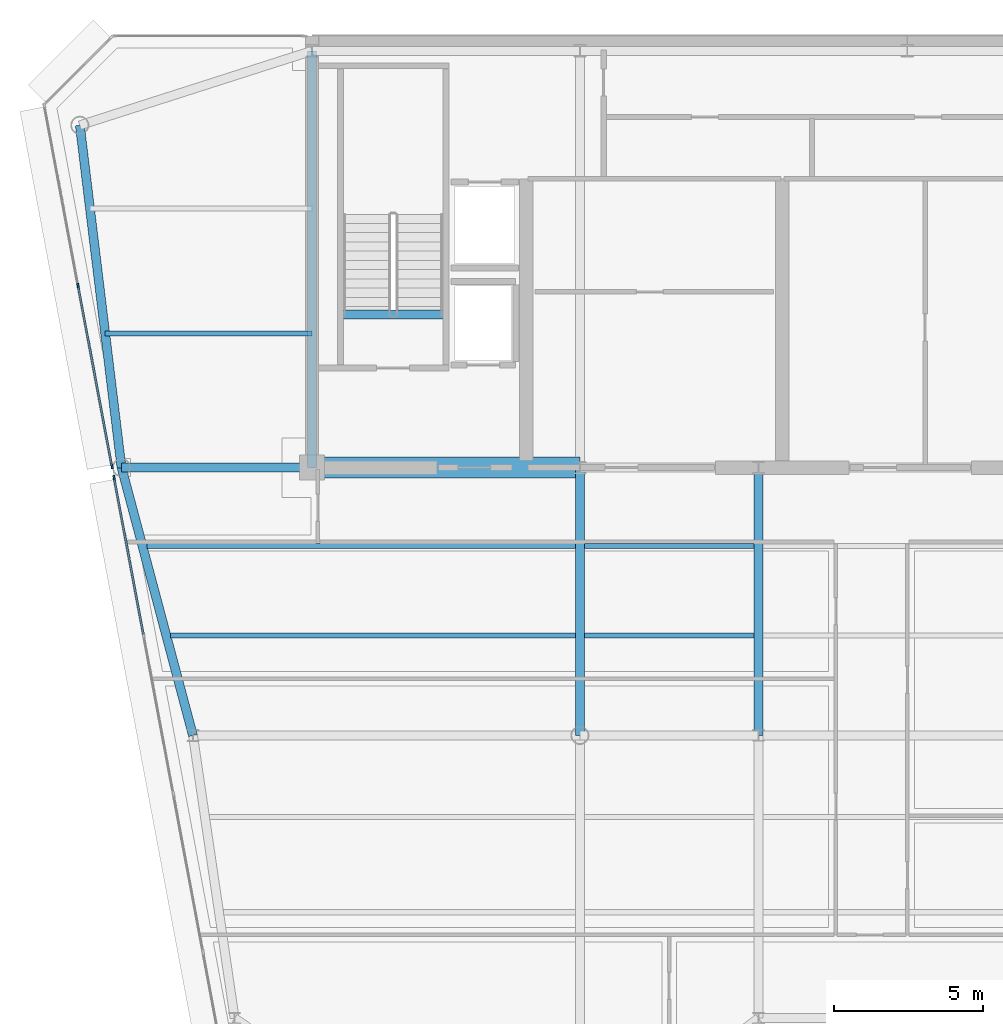
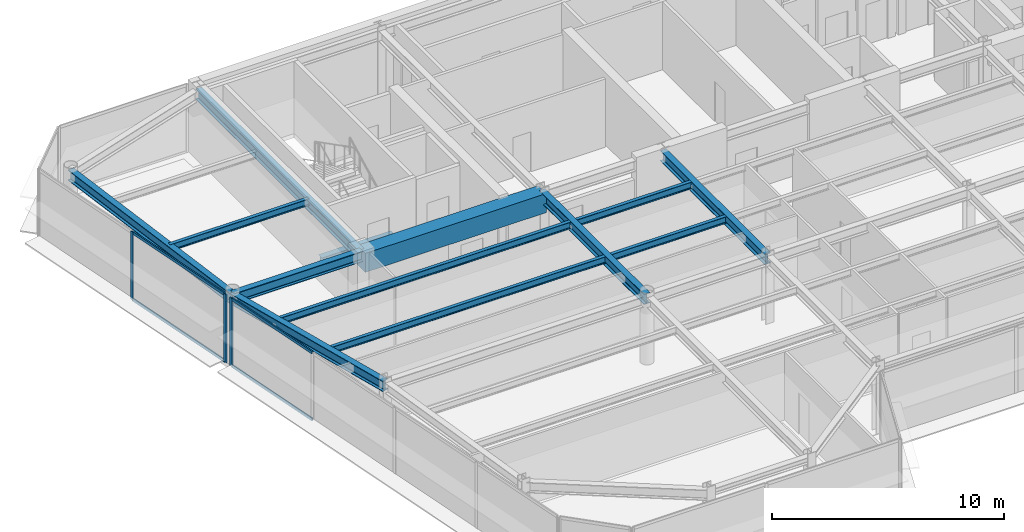
# One storey, part 4 of 19: 13 beams, 7 members, 2 elements without a shape of their own.
"""IFC4 building model written with IfcOpenShell, lengths in metres."""

from ifc_helpers import new_model, si_unit, direction, frame, origin, origin_2d, place, context, subcontext, project, spatial, rectangle, i_section, extrude, source, transform, mapped, material, layer, layer_set, material_profile, profile_set, type_object, element, aggregate, save


model = new_model("IFC4")

# Units and contexts
model_context = context("Model", 3, precision=1e-05, world=origin(), true_north=direction((0.0, 1.0)))
body_context = subcontext(model_context, "Body", "Model", "MODEL_VIEW")
ifc_project = project(units=[si_unit("LENGTHUNIT", "METRE"), si_unit("AREAUNIT", "SQUARE_METRE"), si_unit("VOLUMEUNIT", "CUBIC_METRE"), si_unit("PLANEANGLEUNIT", "RADIAN"), si_unit("MASSUNIT", "GRAM", prefix="KILO")], contexts=[model_context])

# Site, building, storey
site_placement = place(None, origin())
site = spatial("IfcSite", under=ifc_project, at=site_placement, CompositionType="ELEMENT")
building_placement = place(site_placement, origin())
building = spatial("IfcBuilding", under=site, at=building_placement, Name="Vaeldorn Concourse Tower", CompositionType="ELEMENT")
storey_placement = place(building_placement, frame((0.0, 0.0, 276.39990234375)))
storey = spatial("IfcBuildingStorey", under=building, at=storey_placement, Name="L71", CompositionType="ELEMENT", Elevation=276.39990234375)

# Beams
ifc_material_1 = material(Name="Concrete C50/60", Category="concrete")
ifc_material_profile_1 = material_profile(ifc_material_1, rectangle(XDim=0.699951171875, YDim=1.0, at=origin_2d()), Name="RC 700x1000")
ifc_profile_set_1 = profile_set([ifc_material_profile_1], Name="Concrete C50/60")
beam_type_1 = type_object("IfcBeamType", Name="BM-CB-RC700", PredefinedType="BEAM", material=ifc_profile_set_1)
shared_shape_1 = source(origin(), body_context, "Body", "SweptSolid", [
    extrude(rectangle(XDim=0.699951171875, YDim=1.0, at=origin_2d()), origin(), (0.0, 0.0, 1.0), 9.0),
])
beam_1_placement = place(storey_placement, frame((14.0, 36.5, 3.080078125), z_axis=(1.0, 0.0, 0.0), x_axis=(0.0, 1.0, 0.0)))
element("IfcBeam", 1, at=beam_1_placement, inside=storey, type_object=beam_type_1, Name="Core Coupling Beam L71-1", PredefinedType="BEAM", context=body_context, shape_type="MappedRepresentation", body=[
    mapped(shared_shape_1, transform((0.0, 0.0, 0.0), scale=1.0)),
])
ifc_material_2 = material(Name="Steel S355", Category="steel")
ifc_material_profile_2 = material_profile(ifc_material_2, i_section(OverallWidth=0.300048828125, OverallDepth=0.340087890625, WebThickness=0.011962890625, FlangeThickness=0.021484375, FilletRadius=0.027099609375, at=origin_2d()), Name="HEB 340")
ifc_profile_set_2 = profile_set([ifc_material_profile_2], Name="Steel S355")
beam_type_2 = type_object("IfcBeamType", Name="BM-ST-TRIM", PredefinedType="BEAM", material=ifc_profile_set_2)
shared_shape_2 = source(origin(), body_context, "Body", "SweptSolid", [
    extrude(i_section(OverallWidth=0.300048828125, OverallDepth=0.340087890625, WebThickness=0.011962890625, FlangeThickness=0.021484375, FilletRadius=0.027099609375, at=origin_2d()), origin(), (0.0, 0.0, 1.0), 3.590087890625),
])
beam_2_placement = place(storey_placement, frame((14.929931640625, 41.639892578125, -0.389892578125), z_axis=(1.0, 0.0, 0.0), x_axis=(0.0, 1.0, 0.0)))
element("IfcBeam", 2, at=beam_2_placement, inside=storey, type_object=beam_type_2, Name="Stair Landing Trimmer Beam ST-1 L71", PredefinedType="BEAM", context=body_context, shape_type="MappedRepresentation", body=[
    mapped(shared_shape_2, transform((0.0, 0.0, 0.0), scale=1.0)),
])
ifc_material_profile_3 = material_profile(ifc_material_2, i_section(OverallWidth=0.300048828125, OverallDepth=0.550048828125, WebThickness=0.014892578125, FlangeThickness=0.029052734375, FilletRadius=0.027099609375, at=origin_2d()), Name="HEB 550")
ifc_profile_set_3 = profile_set([ifc_material_profile_3], Name="Steel S355")
beam_type_3 = type_object("IfcBeamType", Name="BM-PG-HEB550", PredefinedType="BEAM", material=ifc_profile_set_3)
shared_shape_3 = source(origin(), body_context, "Body", "SweptSolid", [
    extrude(i_section(OverallWidth=0.300048828125, OverallDepth=0.550048828125, WebThickness=0.014892578125, FlangeThickness=0.029052734375, FilletRadius=0.027099609375, at=origin_2d()), origin(), (0.0, 0.0, 1.0), 9.0),
])
for number, where, z_axis, x_axis, name in (
    (3, (23.0, 27.5, 3.30517578125), (0.0, 1.0, 0.0), (-1.0, 0.0, 0.0), "Beam BM-L71-C-TW1-C-FC2"),
    (4, (29.0, 27.5, 3.30517578125), (0.0, 1.0, 0.0), (-1.0, 0.0, 0.0), "Beam BM-L71-C-TW2-C-FC3"),
):
    element("IfcBeam", number, at=place(storey_placement, frame(where, z_axis=z_axis, x_axis=x_axis)), inside=storey, type_object=beam_type_3, Name=name, PredefinedType="BEAM", context=body_context, shape_type="MappedRepresentation", body=[
        mapped(shared_shape_3, transform((0.0, 0.0, 0.0), scale=1.0)),
    ])
shared_shape_4 = source(origin(), body_context, "Body", "SweptSolid", [
    extrude(i_section(OverallWidth=0.300048828125, OverallDepth=0.550048828125, WebThickness=0.014892578125, FlangeThickness=0.029052734375, FilletRadius=0.027099609375, at=origin_2d()), origin(), (0.0, 0.0, 1.0), 14.0),
])
beam_3_placement = place(storey_placement, frame((14.0, 36.5, 3.30517578125), z_axis=(0.0, 1.0, 0.0), x_axis=(-1.0, 0.0, 0.0)))
element("IfcBeam", 5, at=beam_3_placement, inside=storey, type_object=beam_type_3, Name="Beam BM-L71-C-FC1-C-HC1", PredefinedType="BEAM", context=body_context, shape_type="MappedRepresentation", body=[
    mapped(shared_shape_4, transform((0.0, 0.0, 0.0), scale=1.0)),
])
shared_shape_5 = source(origin(), body_context, "Body", "SweptSolid", [
    extrude(i_section(OverallWidth=0.300048828125, OverallDepth=0.550048828125, WebThickness=0.014892578125, FlangeThickness=0.029052734375, FilletRadius=0.027099609375, at=origin_2d()), origin(), (0.0, 0.0, 1.0), 11.5849609375),
])
beam_4_placement = place(storey_placement, frame((6.199951171875, 48.0, 3.30517578125), z_axis=(0.120859382899, -0.992669637677, 0.0), x_axis=(0.992669637677, 0.120859382899, 0.0)))
element("IfcBeam", 6, at=beam_4_placement, inside=storey, type_object=beam_type_3, Name="Beam BM-L71-C-NW1-C-NW2", PredefinedType="BEAM", context=body_context, shape_type="MappedRepresentation", body=[
    mapped(shared_shape_5, transform((0.0, 0.0, 0.0), scale=1.0)),
])
shared_shape_6 = source(origin(), body_context, "Body", "SweptSolid", [
    extrude(i_section(OverallWidth=0.300048828125, OverallDepth=0.550048828125, WebThickness=0.014892578125, FlangeThickness=0.029052734375, FilletRadius=0.027099609375, at=origin_2d()), origin(), (0.0, 0.0, 1.0), 6.39990234375),
])
beam_5_placement = place(storey_placement, frame((7.60009765625, 36.5, 3.30517578125), z_axis=(1.0, 0.0, 0.0), x_axis=(0.0, 1.0, 0.0)))
element("IfcBeam", 7, at=beam_5_placement, inside=storey, type_object=beam_type_3, Name="Beam BM-L71-C-NW2-C-FC1", PredefinedType="BEAM", context=body_context, shape_type="MappedRepresentation", body=[
    mapped(shared_shape_6, transform((0.0, 0.0, 0.0), scale=1.0)),
])
shared_shape_7 = source(origin(), body_context, "Body", "SweptSolid", [
    extrude(i_section(OverallWidth=0.300048828125, OverallDepth=0.550048828125, WebThickness=0.014892578125, FlangeThickness=0.029052734375, FilletRadius=0.027099609375, at=origin_2d()), origin(), (0.0, 0.0, 1.0), 9.314453125),
])
beam_6_placement = place(storey_placement, frame((7.60009765625, 36.5, 3.30517578125), z_axis=(0.257652862255, -0.966237549763, 0.0), x_axis=(0.966237549763, 0.257652862255, 0.0)))
element("IfcBeam", 8, at=beam_6_placement, inside=storey, type_object=beam_type_3, Name="Beam BM-L71-C-NW2-C-FLW1", PredefinedType="BEAM", context=body_context, shape_type="MappedRepresentation", body=[
    mapped(shared_shape_7, transform((0.0, 0.0, 0.0), scale=1.0)),
])
ifc_material_profile_4 = material_profile(ifc_material_2, i_section(OverallWidth=0.169921875, OverallDepth=0.360107421875, WebThickness=0.008056640625, FlangeThickness=0.0126953125, FilletRadius=0.01806640625, at=origin_2d()), Name="IPE 360")
ifc_profile_set_4 = profile_set([ifc_material_profile_4], Name="Steel S355")
beam_type_4 = type_object("IfcBeamType", Name="BM-JS-IPE360", PredefinedType="JOIST", material=ifc_profile_set_4)
shared_shape_8 = source(origin(), body_context, "Body", "SweptSolid", [
    extrude(i_section(OverallWidth=0.169921875, OverallDepth=0.360107421875, WebThickness=0.008056640625, FlangeThickness=0.0126953125, FilletRadius=0.01806640625, at=origin_2d()), origin(), (0.0, 0.0, 1.0), 6.94775390625),
])
beam_7_placement = place(storey_placement, frame((7.05224609375, 41.0, 3.400146484375), z_axis=(1.0, 0.0, 0.0), x_axis=(0.0, 1.0, 0.0)))
element("IfcBeam", 9, at=beam_7_placement, inside=storey, type_object=beam_type_4, Name="Beam JS-L71-NW-410", PredefinedType="JOIST", context=body_context, shape_type="MappedRepresentation", body=[
    mapped(shared_shape_8, transform((0.0, 0.0, 0.0), scale=1.0)),
])
shared_shape_9 = source(origin(), body_context, "Body", "SweptSolid", [
    extrude(i_section(OverallWidth=0.169921875, OverallDepth=0.360107421875, WebThickness=0.008056640625, FlangeThickness=0.0126953125, FilletRadius=0.01806640625, at=origin_2d()), origin(), (0.0, 0.0, 1.0), 5.7001953125),
])
for number, where, z_axis, x_axis, name in (
    (10, (23.14990234375, 30.860107421875, 3.400146484375), (1.0, 0.0, 0.0), (0.0, 1.0, 0.0), "Beam JS-L71-W2-308"),
    (11, (23.14990234375, 33.860107421875, 3.400146484375), (1.0, 0.0, 0.0), (0.0, 1.0, 0.0), "Beam JS-L71-W2-338"),
):
    element("IfcBeam", number, at=place(storey_placement, frame(where, z_axis=z_axis, x_axis=x_axis)), inside=storey, type_object=beam_type_4, Name=name, PredefinedType="JOIST", context=body_context, shape_type="MappedRepresentation", body=[
        mapped(shared_shape_9, transform((0.0, 0.0, 0.0), scale=1.0)),
    ])
shared_shape_10 = source(origin(), body_context, "Body", "SweptSolid", [
    extrude(i_section(OverallWidth=0.169921875, OverallDepth=0.360107421875, WebThickness=0.008056640625, FlangeThickness=0.0126953125, FilletRadius=0.01806640625, at=origin_2d()), origin(), (0.0, 0.0, 1.0), 13.59619140625),
])
beam_8_placement = place(storey_placement, frame((9.25390625, 30.860107421875, 3.400146484375), z_axis=(1.0, 0.0, 0.0), x_axis=(0.0, 1.0, 0.0)))
element("IfcBeam", 12, at=beam_8_placement, inside=storey, type_object=beam_type_4, Name="Beam JS-L71-W1-308", PredefinedType="JOIST", context=body_context, shape_type="MappedRepresentation", body=[
    mapped(shared_shape_10, transform((0.0, 0.0, 0.0), scale=1.0)),
])
shared_shape_11 = source(origin(), body_context, "Body", "SweptSolid", [
    extrude(i_section(OverallWidth=0.169921875, OverallDepth=0.360107421875, WebThickness=0.008056640625, FlangeThickness=0.0126953125, FilletRadius=0.01806640625, at=origin_2d()), origin(), (0.0, 0.0, 1.0), 14.39599609375),
])
beam_9_placement = place(storey_placement, frame((8.4541015625, 33.860107421875, 3.400146484375), z_axis=(1.0, 0.0, 0.0), x_axis=(0.0, 1.0, 0.0)))
element("IfcBeam", 13, at=beam_9_placement, inside=storey, type_object=beam_type_4, Name="Beam JS-L71-W1-338", PredefinedType="JOIST", context=body_context, shape_type="MappedRepresentation", body=[
    mapped(shared_shape_11, transform((0.0, 0.0, 0.0), scale=1.0)),
])

# Curtain wall, members
ifc_material_3 = material(Name="Anodised Bronze Aluminium", Category="aluminium")
ifc_layer = layer(ifc_material_3, 0.179931640625)
ifc_layer_set = layer_set([ifc_layer], Name="Anodised Bronze Aluminium")
curtain_wall_type = type_object("IfcCurtainWallType", Name="CW-SYS-05", PredefinedType="NOTDEFINED", material=ifc_layer_set)
curtain_wall_1_placement = place(storey_placement, origin())
curtain_wall_1 = element("IfcCurtainWall", 14, at=curtain_wall_1_placement, inside=storey, type_object=curtain_wall_type, Name="Unitised Curtain Wall CW-L71-E11-1", PredefinedType="NOTDEFINED")
ifc_material_profile_5 = material_profile(ifc_material_3, rectangle(XDim=0.06494140625, YDim=0.169921875, at=origin_2d()), Name="CWM 65x170")
ifc_profile_set_5 = profile_set([ifc_material_profile_5], Name="Anodised Bronze Aluminium")
member_type_1 = type_object("IfcMemberType", Name="CWM-BRONZE-170", PredefinedType="MULLION", material=ifc_profile_set_5)
shared_shape_12 = source(origin(), body_context, "Body", "SweptSolid", [
    extrude(rectangle(XDim=0.06494140625, YDim=0.169921875, at=origin_2d()), origin(), (0.0, 0.0, 1.0), 3.580078125),
])
member_1_placement = place(storey_placement, frame((6.142578125, 42.605224609375, 0.0), z_axis=(0.0, 0.0, 1.0), x_axis=(0.982880218842, 0.184245693053, 0.0)))
member_1 = element("IfcMember", 15, at=member_1_placement, type_object=member_type_1, Name="CW-05 mullion 2", PredefinedType="MULLION", context=body_context, shape_type="MappedRepresentation", body=[
    mapped(shared_shape_12, transform((0.0, 0.0, 0.0), scale=1.0)),
])
member_2_placement = place(storey_placement, frame((7.279052734375, 36.542236328125, 0.0), z_axis=(0.0, 0.0, 1.0), x_axis=(0.982880218842, 0.184245693053, 0.0)))
member_2 = element("IfcMember", 16, at=member_2_placement, type_object=member_type_1, Name="CW-05 mullion 3", PredefinedType="MULLION", context=body_context, shape_type="MappedRepresentation", body=[
    mapped(shared_shape_12, transform((0.0, 0.0, 0.0), scale=1.0)),
])

curtain_wall_2_placement = place(storey_placement, origin())
curtain_wall_2 = element("IfcCurtainWall", 17, at=curtain_wall_2_placement, inside=storey, type_object=curtain_wall_type, Name="Unitised Curtain Wall CW-L71-E11-2", PredefinedType="NOTDEFINED")
member_3_placement = place(storey_placement, frame((7.35205078125, 36.153076171875, 0.0), z_axis=(0.0, 0.0, 1.0), x_axis=(0.982880027444, 0.184246714088, 0.0)))
member_3 = element("IfcMember", 18, at=member_3_placement, type_object=member_type_1, Name="CW-05 mullion 1", PredefinedType="MULLION", context=body_context, shape_type="MappedRepresentation", body=[
    mapped(shared_shape_12, transform((0.0, 0.0, 0.0), scale=1.0)),
])
ifc_material_profile_6 = material_profile(ifc_material_3, rectangle(XDim=0.06494140625, YDim=0.14990234375, at=origin_2d()), Name="CWT 65x150")
ifc_profile_set_6 = profile_set([ifc_material_profile_6], Name="Anodised Bronze Aluminium")
member_type_2 = type_object("IfcMemberType", Name="CWT-BRONZE-150", PredefinedType="USERDEFINED", material=ifc_profile_set_6)
shared_shape_13 = source(origin(), body_context, "Body", "SweptSolid", [
    extrude(rectangle(XDim=0.06494140625, YDim=0.14990234375, at=origin_2d()), origin(), (0.0, 0.0, 1.0), 5.31640625),
])
member_4_placement = place(storey_placement, frame((7.35791015625, 36.12109375, 0.03271484375), z_axis=(0.184241399207, -0.982881023735, 0.0), x_axis=(0.982881023735, 0.184241399207, 0.0)))
member_4 = element("IfcMember", 19, at=member_4_placement, type_object=member_type_2, Name="CW-05 transom 1.1", ObjectType="TRANSOM", PredefinedType="USERDEFINED", context=body_context, shape_type="MappedRepresentation", body=[
    mapped(shared_shape_13, transform((0.0, 0.0, 0.0), scale=1.0)),
])
member_5_placement = place(storey_placement, frame((7.35791015625, 36.12109375, 3.547607421875), z_axis=(0.184241399207, -0.982881023735, 0.0), x_axis=(0.982881023735, 0.184241399207, 0.0)))
member_5 = element("IfcMember", 20, at=member_5_placement, type_object=member_type_2, Name="CW-05 transom 1.2", ObjectType="TRANSOM", PredefinedType="USERDEFINED", context=body_context, shape_type="MappedRepresentation", body=[
    mapped(shared_shape_13, transform((0.0, 0.0, 0.0), scale=1.0)),
])
aggregate(curtain_wall_2, [member_3, member_4, member_5])

# Member
shared_shape_14 = source(origin(), body_context, "Body", "SweptSolid", [
    extrude(rectangle(XDim=0.06494140625, YDim=0.14990234375, at=origin_2d()), origin(), (0.0, 0.0, 1.0), 6.103515625),
])
member_6_placement = place(storey_placement, frame((6.1484375, 42.5732421875, 0.03271484375), z_axis=(0.18424023288, -0.982881242363, 0.0), x_axis=(0.982881242363, 0.18424023288, 0.0)))
member_6 = element("IfcMember", 21, at=member_6_placement, type_object=member_type_2, Name="CW-05 transom 2.1", ObjectType="TRANSOM", PredefinedType="USERDEFINED", context=body_context, shape_type="MappedRepresentation", body=[
    mapped(shared_shape_14, transform((0.0, 0.0, 0.0), scale=1.0)),
])

member_7_placement = place(storey_placement, frame((6.1484375, 42.5732421875, 3.547607421875), z_axis=(0.18424023288, -0.982881242363, 0.0), x_axis=(0.982881242363, 0.18424023288, 0.0)))
member_7 = element("IfcMember", 22, at=member_7_placement, type_object=member_type_2, Name="CW-05 transom 2.2", ObjectType="TRANSOM", PredefinedType="USERDEFINED", context=body_context, shape_type="MappedRepresentation", body=[
    mapped(shared_shape_14, transform((0.0, 0.0, 0.0), scale=1.0)),
])

aggregate(curtain_wall_1, [member_1, member_2, member_6, member_7])

save(model, "model.ifc")
